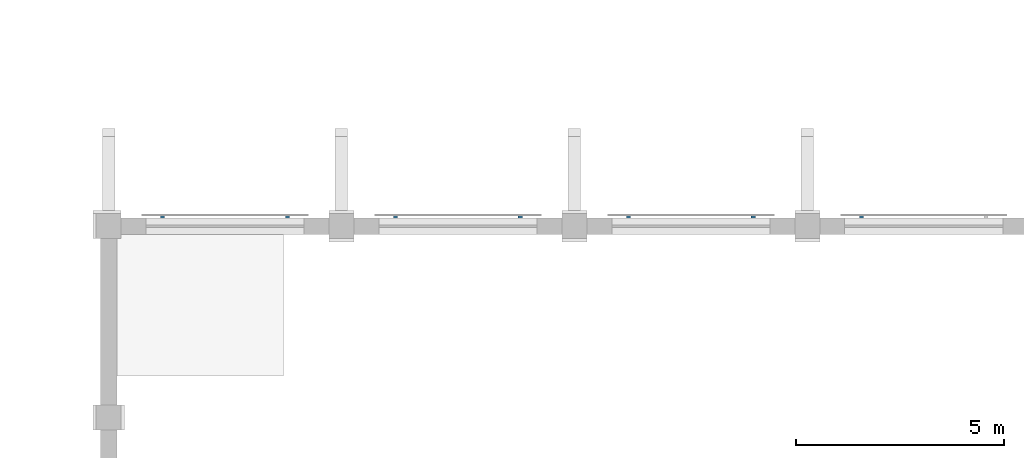
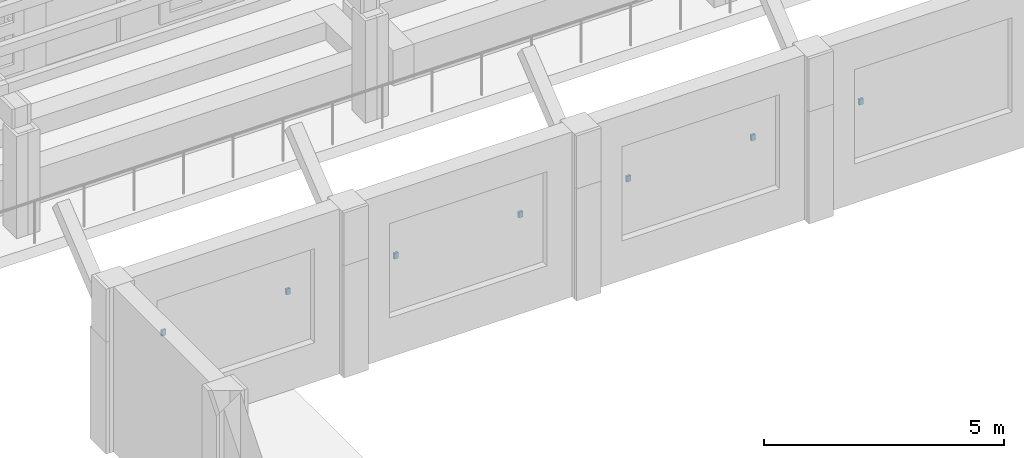
# One storey, part 44 of 68: 7 discrete accessories.
"""IFC4 building model written with IfcOpenShell, lengths in metres."""

from ifc_helpers import new_model, si_unit, direction, frame, origin, origin_2d, place, context, subcontext, project, spatial, rectangle, extrude, element, save


model = new_model("IFC4")

# Units and contexts
model_context = context("Model", 3, precision=1e-05, world=origin(), true_north=direction((0.0, 1.0)))
body_context = subcontext(model_context, "Body", "Model", "MODEL_VIEW")
ifc_project = project(units=[si_unit("LENGTHUNIT", "METRE"), si_unit("AREAUNIT", "SQUARE_METRE"), si_unit("VOLUMEUNIT", "CUBIC_METRE"), si_unit("PLANEANGLEUNIT", "RADIAN"), si_unit("MASSUNIT", "GRAM", prefix="KILO")], contexts=[model_context])

# Site, building, storey
site_placement = place(None, origin())
site = spatial("IfcSite", under=ifc_project, at=site_placement, CompositionType="ELEMENT")
building_placement = place(site_placement, origin())
building = spatial("IfcBuilding", under=site, at=building_placement, Name="Wasatch Bagh Community Centre", CompositionType="ELEMENT")
storey_placement = place(building_placement, frame((0.0, 0.0, 8.39990234375)))
storey = spatial("IfcBuildingStorey", under=building, at=storey_placement, Name="L02", CompositionType="ELEMENT", Elevation=8.39990234375)

# Discrete accessories
for number, where, z_axis, x_axis, name in (
    (1, (113.5, 66.02490234375, 2.125244140625), (0.0, 0.0, 1.0), (1.0, 0.0, 0.0), "Fixing bracket"),
    (2, (116.5, 66.02490234375, 2.125244140625), (0.0, 0.0, 1.0), (1.0, 0.0, 0.0), "Fixing bracket"),
    (3, (119.10009765625, 66.02490234375, 2.125244140625), (0.0, 0.0, 1.0), (1.0, 0.0, 0.0), "Fixing bracket"),
    (4, (122.10009765625, 66.02490234375, 2.125244140625), (0.0, 0.0, 1.0), (1.0, 0.0, 0.0), "Fixing bracket"),
    (5, (124.699951171875, 66.02490234375, 2.125244140625), (0.0, 0.0, 1.0), (1.0, 0.0, 0.0), "Fixing bracket"),
    (6, (127.699951171875, 66.02490234375, 2.125244140625), (0.0, 0.0, 1.0), (1.0, 0.0, 0.0), "Fixing bracket"),
    (7, (130.300048828125, 66.02490234375, 2.125244140625), (0.0, 0.0, 1.0), (1.0, 0.0, 0.0), "Fixing bracket"),
):
    element("IfcDiscreteAccessory", number, at=place(storey_placement, frame(where, z_axis=z_axis, x_axis=x_axis)), inside=storey, Name=name, PredefinedType="BRACKET", context=body_context, shape_type="SweptSolid", body=[
        extrude(rectangle(XDim=0.10009765625, YDim=0.050048828125, at=origin_2d()), origin(), (0.0, 0.0, 1.0), 0.14990234375),
    ])

save(model, "model.ifc")
